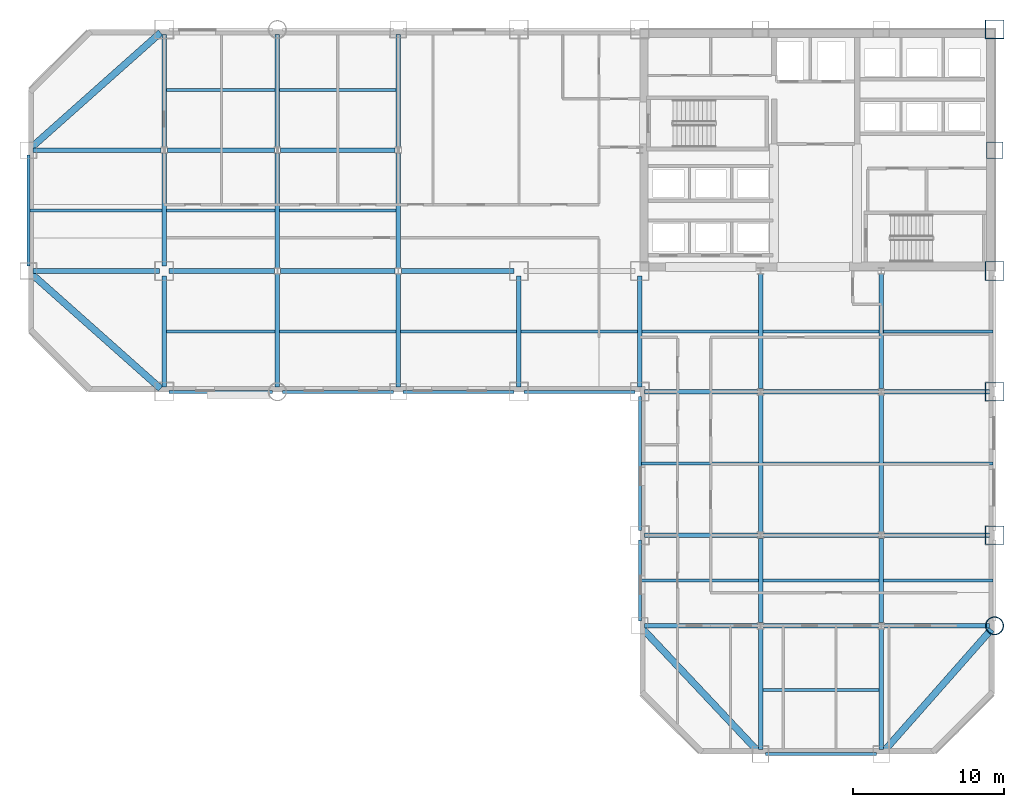
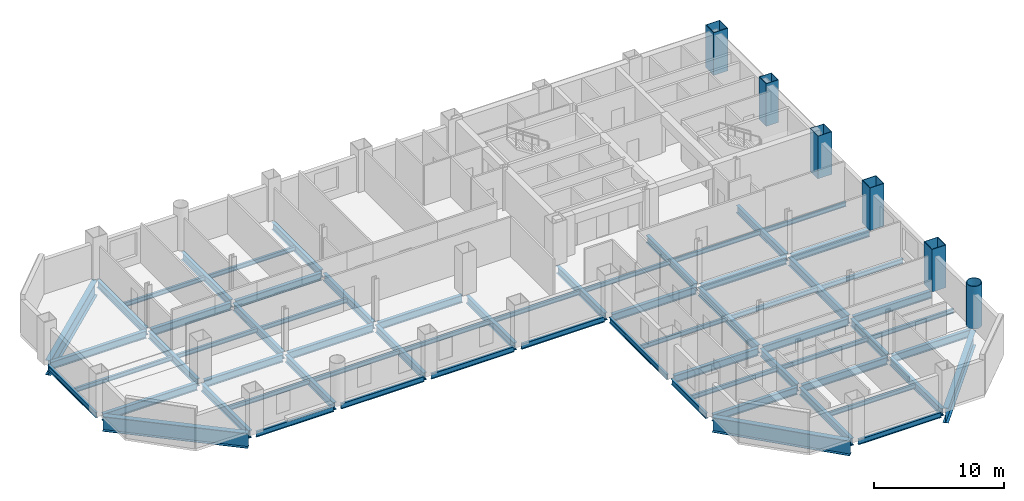
# One storey, part 3 of 9: 66 beams, 6 columns.
"""IFC4 building model written with IfcOpenShell, lengths in metres."""

from ifc_helpers import new_model, si_unit, direction, frame, origin, origin_2d, place, context, subcontext, project, spatial, hollow_rectangle, hollow_circle, i_section, extrude, material, material_profile, profile_set, type_object, element, save


model = new_model("IFC4")

# Units and contexts
model_context = context("Model", 3, precision=1e-05, world=origin(), true_north=direction((0.0, 1.0)))
body_context = subcontext(model_context, "Body", "Model", "MODEL_VIEW")
ifc_project = project(units=[si_unit("LENGTHUNIT", "METRE"), si_unit("AREAUNIT", "SQUARE_METRE"), si_unit("VOLUMEUNIT", "CUBIC_METRE"), si_unit("PLANEANGLEUNIT", "RADIAN"), si_unit("MASSUNIT", "GRAM", prefix="KILO")], contexts=[model_context])

# Site, building, storey
site_placement = place(None, origin())
site = spatial("IfcSite", under=ifc_project, at=site_placement, CompositionType="ELEMENT")
building_placement = place(site_placement, origin())
building = spatial("IfcBuilding", under=site, at=building_placement, Name="Qianrong Seaharbour Tower", CompositionType="ELEMENT")
storey_placement = place(building_placement, frame((0.0, 0.0, 36.199951171875)))
storey = spatial("IfcBuildingStorey", under=building, at=storey_placement, Name="L08", CompositionType="ELEMENT", Elevation=36.199951171875)

# Columns
ifc_material_1 = material(Name="Structural steel SN490B", Category="steel")
ifc_material_profile_1 = material_profile(ifc_material_1, hollow_rectangle(XDim=1.25, YDim=1.25, WallThickness=0.044921875, at=origin_2d()), Name="BOX1250x1250x45")
ifc_profile_set_1 = profile_set([ifc_material_profile_1], Name="Structural steel SN490B")
column_type_1 = type_object("IfcColumnType", Name="COL-CFT-1250", PredefinedType="COLUMN", material=ifc_profile_set_1)
for number, where, z_axis, x_axis, name in (
    (1, (64.0, 18.5, 0.0), (0.0, 0.0, 1.0), (1.0, 0.0, 0.0), "L08 Column MC-2 at G9/GD"),
    (2, (64.0, 28.0, 0.0), (0.0, 0.0, 1.0), (1.0, 0.0, 0.0), "L08 Column MC-2 at G9/GE"),
    (3, (64.0, 36.0, 0.0), (0.0, 0.0, 1.0), (1.0, 0.0, 0.0), "L08 Column MC-2 at G9/GF"),
    (4, (64.0, 52.0, 0.0), (0.0, 0.0, 1.0), (1.0, 0.0, 0.0), "L08 Column MC-2 at G9/GH"),
):
    element("IfcColumn", number, at=place(storey_placement, frame(where, z_axis=z_axis, x_axis=x_axis)), inside=storey, type_object=column_type_1, Name=name, PredefinedType="COLUMN", context=body_context, shape_type="SweptSolid", body=[
        extrude(hollow_rectangle(XDim=1.25, YDim=1.25, WallThickness=0.044921875, at=origin_2d()), origin(), (0.0, 0.0, 1.0), 4.0),
    ])
ifc_material_profile_2 = material_profile(ifc_material_1, hollow_circle(Radius=0.60009765625, WallThickness=0.0400390625, at=origin_2d()), Name="CHS1200x40")
ifc_profile_set_2 = profile_set([ifc_material_profile_2], Name="Structural steel SN490B")
column_type_2 = type_object("IfcColumnType", Name="COL-CHS-1200", PredefinedType="COLUMN", material=ifc_profile_set_2)
column_1_placement = place(storey_placement, frame((64.0, 12.5, 0.0), z_axis=(0.0, 0.0, 1.0), x_axis=(1.0, 0.0, 0.0)))
element("IfcColumn", 5, at=column_1_placement, inside=storey, type_object=column_type_2, Name="L08 Column CC-1 at G9/GC", PredefinedType="COLUMN", context=body_context, shape_type="SweptSolid", body=[
    extrude(hollow_circle(Radius=0.60009765625, WallThickness=0.0400390625, at=origin_2d()), origin(), (0.0, 0.0, 1.0), 4.0),
])
ifc_material_profile_3 = material_profile(ifc_material_1, hollow_rectangle(XDim=1.10009765625, YDim=1.10009765625, WallThickness=0.0400390625, at=origin_2d()), Name="BOX1100x1100x40")
ifc_profile_set_3 = profile_set([ifc_material_profile_3], Name="Structural steel SN490B")
column_type_3 = type_object("IfcColumnType", Name="COL-PER-1100", PredefinedType="COLUMN", material=ifc_profile_set_3)
column_2_placement = place(storey_placement, frame((64.0, 44.0, 0.0), z_axis=(0.0, 0.0, 1.0), x_axis=(1.0, 0.0, 0.0)))
element("IfcColumn", 6, at=column_2_placement, inside=storey, type_object=column_type_3, Name="L08 Column PC-1 at G9/GG", PredefinedType="COLUMN", context=body_context, shape_type="SweptSolid", body=[
    extrude(hollow_rectangle(XDim=1.10009765625, YDim=1.10009765625, WallThickness=0.0400390625, at=origin_2d()), origin(), (0.0, 0.0, 1.0), 4.0),
])

# Beams
ifc_material_profile_4 = material_profile(ifc_material_1, i_section(OverallWidth=0.300048828125, OverallDepth=0.699951171875, WebThickness=0.012939453125, FlangeThickness=0.02392578125, FilletRadius=0.02587890625, at=origin_2d()), Name="H700x300x13x24")
ifc_profile_set_4 = profile_set([ifc_material_profile_4], Name="Structural steel SN490B")
beam_type_1 = type_object("IfcBeamType", Name="BM-G-700", PredefinedType="BEAM", material=ifc_profile_set_4)
beam_1_placement = place(storey_placement, frame((40.820068359375, 12.5, -0.599853515625), z_axis=(1.0, 0.0, 0.0), x_axis=(0.0, 1.0, 0.0)))
element("IfcBeam", 7, at=beam_1_placement, inside=storey, type_object=beam_type_1, Name="L08 Primary Girder GC G6-G7", PredefinedType="BEAM", context=body_context, shape_type="SweptSolid", body=[
    extrude(i_section(OverallWidth=0.300048828125, OverallDepth=0.699951171875, WebThickness=0.012939453125, FlangeThickness=0.02392578125, FilletRadius=0.02587890625, at=origin_2d()), origin(), (0.0, 0.0, 1.0), 7.476318359375),
])
beam_2_placement = place(storey_placement, frame((48.70361328125, 12.5, -0.599853515625), z_axis=(1.0, 0.0, 0.0), x_axis=(0.0, 1.0, 0.0)))
element("IfcBeam", 8, at=beam_2_placement, inside=storey, type_object=beam_type_1, Name="L08 Primary Girder GC G7-G8", PredefinedType="BEAM", context=body_context, shape_type="SweptSolid", body=[
    extrude(i_section(OverallWidth=0.300048828125, OverallDepth=0.699951171875, WebThickness=0.012939453125, FlangeThickness=0.02392578125, FilletRadius=0.02587890625, at=origin_2d()), origin(), (0.0, 0.0, 1.0), 7.5927734375),
])
beam_3_placement = place(storey_placement, frame((56.70361328125, 12.5, -0.599853515625), z_axis=(1.0, 0.0, 0.0), x_axis=(0.0, 1.0, 0.0)))
element("IfcBeam", 9, at=beam_3_placement, inside=storey, type_object=beam_type_1, Name="L08 Primary Girder GC G8-G9", PredefinedType="BEAM", context=body_context, shape_type="SweptSolid", body=[
    extrude(i_section(OverallWidth=0.300048828125, OverallDepth=0.699951171875, WebThickness=0.012939453125, FlangeThickness=0.02392578125, FilletRadius=0.02587890625, at=origin_2d()), origin(), (0.0, 0.0, 1.0), 6.976318359375),
])
beam_4_placement = place(storey_placement, frame((40.820068359375, 18.5, -0.599853515625), z_axis=(1.0, 0.0, 0.0), x_axis=(0.0, 1.0, 0.0)))
element("IfcBeam", 10, at=beam_4_placement, inside=storey, type_object=beam_type_1, Name="L08 Primary Girder GD G6-G7", PredefinedType="BEAM", context=body_context, shape_type="SweptSolid", body=[
    extrude(i_section(OverallWidth=0.300048828125, OverallDepth=0.699951171875, WebThickness=0.012939453125, FlangeThickness=0.02392578125, FilletRadius=0.02587890625, at=origin_2d()), origin(), (0.0, 0.0, 1.0), 7.476318359375),
])
beam_5_placement = place(storey_placement, frame((48.70361328125, 18.5, -0.599853515625), z_axis=(1.0, 0.0, 0.0), x_axis=(0.0, 1.0, 0.0)))
element("IfcBeam", 11, at=beam_5_placement, inside=storey, type_object=beam_type_1, Name="L08 Primary Girder GD G7-G8", PredefinedType="BEAM", context=body_context, shape_type="SweptSolid", body=[
    extrude(i_section(OverallWidth=0.300048828125, OverallDepth=0.699951171875, WebThickness=0.012939453125, FlangeThickness=0.02392578125, FilletRadius=0.02587890625, at=origin_2d()), origin(), (0.0, 0.0, 1.0), 7.5927734375),
])
beam_6_placement = place(storey_placement, frame((56.70361328125, 18.5, -0.599853515625), z_axis=(1.0, 0.0, 0.0), x_axis=(0.0, 1.0, 0.0)))
element("IfcBeam", 12, at=beam_6_placement, inside=storey, type_object=beam_type_1, Name="L08 Primary Girder GD G8-G9", PredefinedType="BEAM", context=body_context, shape_type="SweptSolid", body=[
    extrude(i_section(OverallWidth=0.300048828125, OverallDepth=0.699951171875, WebThickness=0.012939453125, FlangeThickness=0.02392578125, FilletRadius=0.02587890625, at=origin_2d()), origin(), (0.0, 0.0, 1.0), 6.976318359375),
])
beam_7_placement = place(storey_placement, frame((40.820068359375, 28.0, -0.599853515625), z_axis=(1.0, 0.0, 0.0), x_axis=(0.0, 1.0, 0.0)))
element("IfcBeam", 13, at=beam_7_placement, inside=storey, type_object=beam_type_1, Name="L08 Primary Girder GE G6-G7", PredefinedType="BEAM", context=body_context, shape_type="SweptSolid", body=[
    extrude(i_section(OverallWidth=0.300048828125, OverallDepth=0.699951171875, WebThickness=0.012939453125, FlangeThickness=0.02392578125, FilletRadius=0.02587890625, at=origin_2d()), origin(), (0.0, 0.0, 1.0), 7.476318359375),
])
beam_8_placement = place(storey_placement, frame((48.70361328125, 28.0, -0.599853515625), z_axis=(1.0, 0.0, 0.0), x_axis=(0.0, 1.0, 0.0)))
element("IfcBeam", 14, at=beam_8_placement, inside=storey, type_object=beam_type_1, Name="L08 Primary Girder GE G7-G8", PredefinedType="BEAM", context=body_context, shape_type="SweptSolid", body=[
    extrude(i_section(OverallWidth=0.300048828125, OverallDepth=0.699951171875, WebThickness=0.012939453125, FlangeThickness=0.02392578125, FilletRadius=0.02587890625, at=origin_2d()), origin(), (0.0, 0.0, 1.0), 7.5927734375),
])
beam_9_placement = place(storey_placement, frame((56.70361328125, 28.0, -0.599853515625), z_axis=(1.0, 0.0, 0.0), x_axis=(0.0, 1.0, 0.0)))
element("IfcBeam", 15, at=beam_9_placement, inside=storey, type_object=beam_type_1, Name="L08 Primary Girder GE G8-G9", PredefinedType="BEAM", context=body_context, shape_type="SweptSolid", body=[
    extrude(i_section(OverallWidth=0.300048828125, OverallDepth=0.699951171875, WebThickness=0.012939453125, FlangeThickness=0.02392578125, FilletRadius=0.02587890625, at=origin_2d()), origin(), (0.0, 0.0, 1.0), 6.976318359375),
])
beam_10_placement = place(storey_placement, frame((0.320068359375, 36.0, -0.599853515625), z_axis=(1.0, 0.0, 0.0), x_axis=(0.0, 1.0, 0.0)))
element("IfcBeam", 16, at=beam_10_placement, inside=storey, type_object=beam_type_1, Name="L08 Primary Girder GF G1-G2", PredefinedType="BEAM", context=body_context, shape_type="SweptSolid", body=[
    extrude(i_section(OverallWidth=0.300048828125, OverallDepth=0.699951171875, WebThickness=0.012939453125, FlangeThickness=0.02392578125, FilletRadius=0.02587890625, at=origin_2d()), origin(), (0.0, 0.0, 1.0), 8.35986328125),
])
beam_11_placement = place(storey_placement, frame((9.320068359375, 36.0, -0.599853515625), z_axis=(1.0, 0.0, 0.0), x_axis=(0.0, 1.0, 0.0)))
element("IfcBeam", 17, at=beam_11_placement, inside=storey, type_object=beam_type_1, Name="L08 Primary Girder GF G2-G3", PredefinedType="BEAM", context=body_context, shape_type="SweptSolid", body=[
    extrude(i_section(OverallWidth=0.300048828125, OverallDepth=0.699951171875, WebThickness=0.012939453125, FlangeThickness=0.02392578125, FilletRadius=0.02587890625, at=origin_2d()), origin(), (0.0, 0.0, 1.0), 6.976318359375),
])
beam_12_placement = place(storey_placement, frame((16.70361328125, 36.0, -0.599853515625), z_axis=(1.0, 0.0, 0.0), x_axis=(0.0, 1.0, 0.0)))
element("IfcBeam", 18, at=beam_12_placement, inside=storey, type_object=beam_type_1, Name="L08 Primary Girder GF G3-G4", PredefinedType="BEAM", context=body_context, shape_type="SweptSolid", body=[
    extrude(i_section(OverallWidth=0.300048828125, OverallDepth=0.699951171875, WebThickness=0.012939453125, FlangeThickness=0.02392578125, FilletRadius=0.02587890625, at=origin_2d()), origin(), (0.0, 0.0, 1.0), 7.5927734375),
])
beam_13_placement = place(storey_placement, frame((24.70361328125, 36.0, -0.599853515625), z_axis=(1.0, 0.0, 0.0), x_axis=(0.0, 1.0, 0.0)))
element("IfcBeam", 19, at=beam_13_placement, inside=storey, type_object=beam_type_1, Name="L08 Primary Girder GF G4-G5", PredefinedType="BEAM", context=body_context, shape_type="SweptSolid", body=[
    extrude(i_section(OverallWidth=0.300048828125, OverallDepth=0.699951171875, WebThickness=0.012939453125, FlangeThickness=0.02392578125, FilletRadius=0.02587890625, at=origin_2d()), origin(), (0.0, 0.0, 1.0), 7.476318359375),
])
beam_14_placement = place(storey_placement, frame((0.320068359375, 44.0, -0.599853515625), z_axis=(1.0, 0.0, 0.0), x_axis=(0.0, 1.0, 0.0)))
element("IfcBeam", 20, at=beam_14_placement, inside=storey, type_object=beam_type_1, Name="L08 Primary Girder GG G1-G2", PredefinedType="BEAM", context=body_context, shape_type="SweptSolid", body=[
    extrude(i_section(OverallWidth=0.300048828125, OverallDepth=0.699951171875, WebThickness=0.012939453125, FlangeThickness=0.02392578125, FilletRadius=0.02587890625, at=origin_2d()), origin(), (0.0, 0.0, 1.0), 8.476318359375),
])
beam_15_placement = place(storey_placement, frame((9.20361328125, 44.0, -0.599853515625), z_axis=(1.0, 0.0, 0.0), x_axis=(0.0, 1.0, 0.0)))
element("IfcBeam", 21, at=beam_15_placement, inside=storey, type_object=beam_type_1, Name="L08 Primary Girder GG G2-G3", PredefinedType="BEAM", context=body_context, shape_type="SweptSolid", body=[
    extrude(i_section(OverallWidth=0.300048828125, OverallDepth=0.699951171875, WebThickness=0.012939453125, FlangeThickness=0.02392578125, FilletRadius=0.02587890625, at=origin_2d()), origin(), (0.0, 0.0, 1.0), 7.0927734375),
])
beam_16_placement = place(storey_placement, frame((16.70361328125, 44.0, -0.599853515625), z_axis=(1.0, 0.0, 0.0), x_axis=(0.0, 1.0, 0.0)))
element("IfcBeam", 22, at=beam_16_placement, inside=storey, type_object=beam_type_1, Name="L08 Primary Girder GG G3-G4", PredefinedType="BEAM", context=body_context, shape_type="SweptSolid", body=[
    extrude(i_section(OverallWidth=0.300048828125, OverallDepth=0.699951171875, WebThickness=0.012939453125, FlangeThickness=0.02392578125, FilletRadius=0.02587890625, at=origin_2d()), origin(), (0.0, 0.0, 1.0), 7.5927734375),
])
beam_17_placement = place(storey_placement, frame((9.0, 28.320068359375, -0.599853515625), z_axis=(0.0, 1.0, 0.0), x_axis=(-1.0, 0.0, 0.0)))
element("IfcBeam", 23, at=beam_17_placement, inside=storey, type_object=beam_type_1, Name="L08 Primary Girder G2 GE-GF", PredefinedType="BEAM", context=body_context, shape_type="SweptSolid", body=[
    extrude(i_section(OverallWidth=0.300048828125, OverallDepth=0.699951171875, WebThickness=0.012939453125, FlangeThickness=0.02392578125, FilletRadius=0.02587890625, at=origin_2d()), origin(), (0.0, 0.0, 1.0), 7.35986328125),
])
for number, where, z_axis, x_axis, name in (
    (24, (9.0, 36.320068359375, -0.599853515625), (0.0, 1.0, 0.0), (-1.0, 0.0, 0.0), "L08 Primary Girder G2 GF-GG"),
    (25, (9.0, 44.214111328125, -0.599853515625), (0.0, 1.0, 0.0), (-1.0, 0.0, 0.0), "L08 Primary Girder G2 GG-GH"),
    (26, (16.5, 28.320068359375, -0.599853515625), (0.0, 1.0, 0.0), (-1.0, 0.0, 0.0), "L08 Primary Girder G3 GE-GF"),
):
    element("IfcBeam", number, at=place(storey_placement, frame(where, z_axis=z_axis, x_axis=x_axis)), inside=storey, type_object=beam_type_1, Name=name, PredefinedType="BEAM", context=body_context, shape_type="SweptSolid", body=[
        extrude(i_section(OverallWidth=0.300048828125, OverallDepth=0.699951171875, WebThickness=0.012939453125, FlangeThickness=0.02392578125, FilletRadius=0.02587890625, at=origin_2d()), origin(), (0.0, 0.0, 1.0), 7.4658203125),
    ])
beam_18_placement = place(storey_placement, frame((16.5, 36.214111328125, -0.599853515625), z_axis=(0.0, 1.0, 0.0), x_axis=(-1.0, 0.0, 0.0)))
element("IfcBeam", 27, at=beam_18_placement, inside=storey, type_object=beam_type_1, Name="L08 Primary Girder G3 GF-GG", PredefinedType="BEAM", context=body_context, shape_type="SweptSolid", body=[
    extrude(i_section(OverallWidth=0.300048828125, OverallDepth=0.699951171875, WebThickness=0.012939453125, FlangeThickness=0.02392578125, FilletRadius=0.02587890625, at=origin_2d()), origin(), (0.0, 0.0, 1.0), 7.57177734375),
])
for number, where, z_axis, x_axis, name in (
    (28, (16.5, 44.214111328125, -0.599853515625), (0.0, 1.0, 0.0), (-1.0, 0.0, 0.0), "L08 Primary Girder G3 GG-GH"),
    (29, (24.5, 28.320068359375, -0.599853515625), (0.0, 1.0, 0.0), (-1.0, 0.0, 0.0), "L08 Primary Girder G4 GE-GF"),
):
    element("IfcBeam", number, at=place(storey_placement, frame(where, z_axis=z_axis, x_axis=x_axis)), inside=storey, type_object=beam_type_1, Name=name, PredefinedType="BEAM", context=body_context, shape_type="SweptSolid", body=[
        extrude(i_section(OverallWidth=0.300048828125, OverallDepth=0.699951171875, WebThickness=0.012939453125, FlangeThickness=0.02392578125, FilletRadius=0.02587890625, at=origin_2d()), origin(), (0.0, 0.0, 1.0), 7.4658203125),
    ])
beam_19_placement = place(storey_placement, frame((24.5, 36.214111328125, -0.599853515625), z_axis=(0.0, 1.0, 0.0), x_axis=(-1.0, 0.0, 0.0)))
element("IfcBeam", 30, at=beam_19_placement, inside=storey, type_object=beam_type_1, Name="L08 Primary Girder G4 GF-GG", PredefinedType="BEAM", context=body_context, shape_type="SweptSolid", body=[
    extrude(i_section(OverallWidth=0.300048828125, OverallDepth=0.699951171875, WebThickness=0.012939453125, FlangeThickness=0.02392578125, FilletRadius=0.02587890625, at=origin_2d()), origin(), (0.0, 0.0, 1.0), 7.57177734375),
])
beam_20_placement = place(storey_placement, frame((24.5, 44.214111328125, -0.599853515625), z_axis=(0.0, 1.0, 0.0), x_axis=(-1.0, 0.0, 0.0)))
element("IfcBeam", 31, at=beam_20_placement, inside=storey, type_object=beam_type_1, Name="L08 Primary Girder G4 GG-GH", PredefinedType="BEAM", context=body_context, shape_type="SweptSolid", body=[
    extrude(i_section(OverallWidth=0.300048828125, OverallDepth=0.699951171875, WebThickness=0.012939453125, FlangeThickness=0.02392578125, FilletRadius=0.02587890625, at=origin_2d()), origin(), (0.0, 0.0, 1.0), 7.4658203125),
])
for number, where, z_axis, x_axis, name in (
    (32, (32.5, 28.320068359375, -0.599853515625), (0.0, 1.0, 0.0), (-1.0, 0.0, 0.0), "L08 Primary Girder G5 GE-GF"),
    (33, (40.5, 28.320068359375, -0.599853515625), (0.0, 1.0, 0.0), (-1.0, 0.0, 0.0), "L08 Primary Girder G6 GE-GF"),
):
    element("IfcBeam", number, at=place(storey_placement, frame(where, z_axis=z_axis, x_axis=x_axis)), inside=storey, type_object=beam_type_1, Name=name, PredefinedType="BEAM", context=body_context, shape_type="SweptSolid", body=[
        extrude(i_section(OverallWidth=0.300048828125, OverallDepth=0.699951171875, WebThickness=0.012939453125, FlangeThickness=0.02392578125, FilletRadius=0.02587890625, at=origin_2d()), origin(), (0.0, 0.0, 1.0), 7.35986328125),
    ])
beam_21_placement = place(storey_placement, frame((48.5, 4.320068359375, -0.599853515625), z_axis=(0.0, 1.0, 0.0), x_axis=(-1.0, 0.0, 0.0)))
element("IfcBeam", 34, at=beam_21_placement, inside=storey, type_object=beam_type_1, Name="L08 Primary Girder G7 GB-GC", PredefinedType="BEAM", context=body_context, shape_type="SweptSolid", body=[
    extrude(i_section(OverallWidth=0.300048828125, OverallDepth=0.699951171875, WebThickness=0.012939453125, FlangeThickness=0.02392578125, FilletRadius=0.02587890625, at=origin_2d()), origin(), (0.0, 0.0, 1.0), 7.9658203125),
])
beam_22_placement = place(storey_placement, frame((48.5, 12.714111328125, -0.599853515625), z_axis=(0.0, 1.0, 0.0), x_axis=(-1.0, 0.0, 0.0)))
element("IfcBeam", 35, at=beam_22_placement, inside=storey, type_object=beam_type_1, Name="L08 Primary Girder G7 GC-GD", PredefinedType="BEAM", context=body_context, shape_type="SweptSolid", body=[
    extrude(i_section(OverallWidth=0.300048828125, OverallDepth=0.699951171875, WebThickness=0.012939453125, FlangeThickness=0.02392578125, FilletRadius=0.02587890625, at=origin_2d()), origin(), (0.0, 0.0, 1.0), 5.57177734375),
])
beam_23_placement = place(storey_placement, frame((48.5, 28.214111328125, -0.599853515625), z_axis=(0.0, 1.0, 0.0), x_axis=(-1.0, 0.0, 0.0)))
element("IfcBeam", 36, at=beam_23_placement, inside=storey, type_object=beam_type_1, Name="L08 Primary Girder G7 GE-GF", PredefinedType="BEAM", context=body_context, shape_type="SweptSolid", body=[
    extrude(i_section(OverallWidth=0.300048828125, OverallDepth=0.699951171875, WebThickness=0.012939453125, FlangeThickness=0.02392578125, FilletRadius=0.02587890625, at=origin_2d()), origin(), (0.0, 0.0, 1.0), 7.57177734375),
])
beam_24_placement = place(storey_placement, frame((56.5, 4.320068359375, -0.599853515625), z_axis=(0.0, 1.0, 0.0), x_axis=(-1.0, 0.0, 0.0)))
element("IfcBeam", 37, at=beam_24_placement, inside=storey, type_object=beam_type_1, Name="L08 Primary Girder G8 GB-GC", PredefinedType="BEAM", context=body_context, shape_type="SweptSolid", body=[
    extrude(i_section(OverallWidth=0.300048828125, OverallDepth=0.699951171875, WebThickness=0.012939453125, FlangeThickness=0.02392578125, FilletRadius=0.02587890625, at=origin_2d()), origin(), (0.0, 0.0, 1.0), 7.9658203125),
])
beam_25_placement = place(storey_placement, frame((56.5, 12.714111328125, -0.599853515625), z_axis=(0.0, 1.0, 0.0), x_axis=(-1.0, 0.0, 0.0)))
element("IfcBeam", 38, at=beam_25_placement, inside=storey, type_object=beam_type_1, Name="L08 Primary Girder G8 GC-GD", PredefinedType="BEAM", context=body_context, shape_type="SweptSolid", body=[
    extrude(i_section(OverallWidth=0.300048828125, OverallDepth=0.699951171875, WebThickness=0.012939453125, FlangeThickness=0.02392578125, FilletRadius=0.02587890625, at=origin_2d()), origin(), (0.0, 0.0, 1.0), 5.57177734375),
])
beam_26_placement = place(storey_placement, frame((56.5, 28.214111328125, -0.599853515625), z_axis=(0.0, 1.0, 0.0), x_axis=(-1.0, 0.0, 0.0)))
element("IfcBeam", 39, at=beam_26_placement, inside=storey, type_object=beam_type_1, Name="L08 Primary Girder G8 GE-GF", PredefinedType="BEAM", context=body_context, shape_type="SweptSolid", body=[
    extrude(i_section(OverallWidth=0.300048828125, OverallDepth=0.699951171875, WebThickness=0.012939453125, FlangeThickness=0.02392578125, FilletRadius=0.02587890625, at=origin_2d()), origin(), (0.0, 0.0, 1.0), 7.57177734375),
])
ifc_material_profile_5 = material_profile(ifc_material_1, i_section(OverallWidth=0.300048828125, OverallDepth=0.800048828125, WebThickness=0.013916015625, FlangeThickness=0.02587890625, FilletRadius=0.028076171875, at=origin_2d()), Name="H800x300x14x26")
ifc_profile_set_5 = profile_set([ifc_material_profile_5], Name="Structural steel SN490B")
beam_type_2 = type_object("IfcBeamType", Name="BM-G-800", PredefinedType="BEAM", material=ifc_profile_set_5)
for number, where, z_axis, x_axis, name in (
    (40, (48.5, 18.714111328125, -0.64990234375), (0.0, 1.0, 0.0), (-1.0, 0.0, 0.0), "L08 Primary Girder G7 GD-GE"),
    (41, (56.5, 18.714111328125, -0.64990234375), (0.0, 1.0, 0.0), (-1.0, 0.0, 0.0), "L08 Primary Girder G8 GD-GE"),
):
    element("IfcBeam", number, at=place(storey_placement, frame(where, z_axis=z_axis, x_axis=x_axis)), inside=storey, type_object=beam_type_2, Name=name, PredefinedType="BEAM", context=body_context, shape_type="SweptSolid", body=[
        extrude(i_section(OverallWidth=0.300048828125, OverallDepth=0.800048828125, WebThickness=0.013916015625, FlangeThickness=0.02587890625, FilletRadius=0.028076171875, at=origin_2d()), origin(), (0.0, 0.0, 1.0), 9.07177734375),
    ])
ifc_material_2 = material(Name="Structural steel SN400B", Category="steel")
ifc_material_profile_6 = material_profile(ifc_material_2, i_section(OverallWidth=0.199951171875, OverallDepth=0.39990234375, WebThickness=0.008056640625, FlangeThickness=0.012939453125, FilletRadius=0.01611328125, at=origin_2d()), Name="H400x200x8x13")
ifc_profile_set_6 = profile_set([ifc_material_profile_6], Name="Structural steel SN400B")
beam_type_3 = type_object("IfcBeamType", Name="BM-J-400", PredefinedType="JOIST", material=ifc_profile_set_6)
beam_27_placement = place(storey_placement, frame((0.10009765625, 40.0, -0.449951171875), z_axis=(1.0, 0.0, 0.0), x_axis=(0.0, 1.0, 0.0)))
element("IfcBeam", 42, at=beam_27_placement, inside=storey, type_object=beam_type_3, Name="L08 Composite Floor Joist G1-G2/GF-GG", PredefinedType="JOIST", context=body_context, shape_type="SweptSolid", body=[
    extrude(i_section(OverallWidth=0.199951171875, OverallDepth=0.39990234375, WebThickness=0.008056640625, FlangeThickness=0.012939453125, FilletRadius=0.01611328125, at=origin_2d()), origin(), (0.0, 0.0, 1.0), 8.75),
])
for number, where, z_axis, x_axis, name in (
    (43, (9.14990234375, 32.0, -0.449951171875), (1.0, 0.0, 0.0), (0.0, 1.0, 0.0), "L08 Composite Floor Joist G2-G3/GE-GF"),
    (44, (9.14990234375, 40.0, -0.449951171875), (1.0, 0.0, 0.0), (0.0, 1.0, 0.0), "L08 Composite Floor Joist G2-G3/GF-GG"),
    (45, (9.14990234375, 48.0, -0.449951171875), (1.0, 0.0, 0.0), (0.0, 1.0, 0.0), "L08 Composite Floor Joist G2-G3/GG-GH"),
):
    element("IfcBeam", number, at=place(storey_placement, frame(where, z_axis=z_axis, x_axis=x_axis)), inside=storey, type_object=beam_type_3, Name=name, PredefinedType="JOIST", context=body_context, shape_type="SweptSolid", body=[
        extrude(i_section(OverallWidth=0.199951171875, OverallDepth=0.39990234375, WebThickness=0.008056640625, FlangeThickness=0.012939453125, FilletRadius=0.01611328125, at=origin_2d()), origin(), (0.0, 0.0, 1.0), 7.2001953125),
    ])
for number, where, z_axis, x_axis, name in (
    (46, (16.64990234375, 32.0, -0.449951171875), (1.0, 0.0, 0.0), (0.0, 1.0, 0.0), "L08 Composite Floor Joist G3-G4/GE-GF"),
    (47, (16.64990234375, 40.0, -0.449951171875), (1.0, 0.0, 0.0), (0.0, 1.0, 0.0), "L08 Composite Floor Joist G3-G4/GF-GG"),
    (48, (16.64990234375, 48.0, -0.449951171875), (1.0, 0.0, 0.0), (0.0, 1.0, 0.0), "L08 Composite Floor Joist G3-G4/GG-GH"),
    (49, (24.64990234375, 32.0, -0.449951171875), (1.0, 0.0, 0.0), (0.0, 1.0, 0.0), "L08 Composite Floor Joist G4-G5/GE-GF"),
    (50, (32.64990234375, 32.0, -0.449951171875), (1.0, 0.0, 0.0), (0.0, 1.0, 0.0), "L08 Composite Floor Joist G5-G6/GE-GF"),
):
    element("IfcBeam", number, at=place(storey_placement, frame(where, z_axis=z_axis, x_axis=x_axis)), inside=storey, type_object=beam_type_3, Name=name, PredefinedType="JOIST", context=body_context, shape_type="SweptSolid", body=[
        extrude(i_section(OverallWidth=0.199951171875, OverallDepth=0.39990234375, WebThickness=0.008056640625, FlangeThickness=0.012939453125, FilletRadius=0.01611328125, at=origin_2d()), origin(), (0.0, 0.0, 1.0), 7.7001953125),
    ])
for number, where, z_axis, x_axis, name in (
    (51, (40.60009765625, 15.5, -0.449951171875), (1.0, 0.0, 0.0), (0.0, 1.0, 0.0), "L08 Composite Floor Joist G6-G7/GC-GD"),
    (52, (40.60009765625, 23.25, -0.449951171875), (1.0, 0.0, 0.0), (0.0, 1.0, 0.0), "L08 Composite Floor Joist G6-G7/GD-GE"),
):
    element("IfcBeam", number, at=place(storey_placement, frame(where, z_axis=z_axis, x_axis=x_axis)), inside=storey, type_object=beam_type_3, Name=name, PredefinedType="JOIST", context=body_context, shape_type="SweptSolid", body=[
        extrude(i_section(OverallWidth=0.199951171875, OverallDepth=0.39990234375, WebThickness=0.008056640625, FlangeThickness=0.012939453125, FilletRadius=0.01611328125, at=origin_2d()), origin(), (0.0, 0.0, 1.0), 7.75),
    ])
for number, where, z_axis, x_axis, name in (
    (53, (40.64990234375, 32.0, -0.449951171875), (1.0, 0.0, 0.0), (0.0, 1.0, 0.0), "L08 Composite Floor Joist G6-G7/GE-GF"),
    (54, (48.64990234375, 8.25, -0.449951171875), (1.0, 0.0, 0.0), (0.0, 1.0, 0.0), "L08 Composite Floor Joist G7-G8/GB-GC"),
    (55, (48.64990234375, 15.5, -0.449951171875), (1.0, 0.0, 0.0), (0.0, 1.0, 0.0), "L08 Composite Floor Joist G7-G8/GC-GD"),
    (56, (48.64990234375, 23.25, -0.449951171875), (1.0, 0.0, 0.0), (0.0, 1.0, 0.0), "L08 Composite Floor Joist G7-G8/GD-GE"),
    (57, (48.64990234375, 32.0, -0.449951171875), (1.0, 0.0, 0.0), (0.0, 1.0, 0.0), "L08 Composite Floor Joist G7-G8/GE-GF"),
):
    element("IfcBeam", number, at=place(storey_placement, frame(where, z_axis=z_axis, x_axis=x_axis)), inside=storey, type_object=beam_type_3, Name=name, PredefinedType="JOIST", context=body_context, shape_type="SweptSolid", body=[
        extrude(i_section(OverallWidth=0.199951171875, OverallDepth=0.39990234375, WebThickness=0.008056640625, FlangeThickness=0.012939453125, FilletRadius=0.01611328125, at=origin_2d()), origin(), (0.0, 0.0, 1.0), 7.7001953125),
    ])
for number, where, z_axis, x_axis, name in (
    (58, (56.64990234375, 15.5, -0.449951171875), (1.0, 0.0, 0.0), (0.0, 1.0, 0.0), "L08 Composite Floor Joist G8-G9/GC-GD"),
    (59, (56.64990234375, 23.25, -0.449951171875), (1.0, 0.0, 0.0), (0.0, 1.0, 0.0), "L08 Composite Floor Joist G8-G9/GD-GE"),
    (60, (56.64990234375, 32.0, -0.449951171875), (1.0, 0.0, 0.0), (0.0, 1.0, 0.0), "L08 Composite Floor Joist G8-G9/GE-GF"),
):
    element("IfcBeam", number, at=place(storey_placement, frame(where, z_axis=z_axis, x_axis=x_axis)), inside=storey, type_object=beam_type_3, Name=name, PredefinedType="JOIST", context=body_context, shape_type="SweptSolid", body=[
        extrude(i_section(OverallWidth=0.199951171875, OverallDepth=0.39990234375, WebThickness=0.008056640625, FlangeThickness=0.012939453125, FilletRadius=0.01611328125, at=origin_2d()), origin(), (0.0, 0.0, 1.0), 7.25),
    ])
ifc_material_profile_7 = material_profile(ifc_material_1, i_section(OverallWidth=0.199951171875, OverallDepth=0.5, WebThickness=0.010009765625, FlangeThickness=0.01611328125, FilletRadius=0.02001953125, at=origin_2d()), Name="H500x200x10x16")
ifc_profile_set_7 = profile_set([ifc_material_profile_7], Name="Structural steel SN490B")
beam_type_4 = type_object("IfcBeamType", Name="BM-SP-500", PredefinedType="SPANDREL", material=ifc_profile_set_7)
beam_28_placement = place(storey_placement, frame((48.820068359375, 4.0, -0.5), z_axis=(1.0, 0.0, 0.0), x_axis=(0.0, 1.0, 0.0)))
element("IfcBeam", 61, at=beam_28_placement, inside=storey, type_object=beam_type_4, Name="L08 Spandrel Girder GB G7-G8", PredefinedType="SPANDREL", context=body_context, shape_type="SweptSolid", body=[
    extrude(i_section(OverallWidth=0.199951171875, OverallDepth=0.5, WebThickness=0.010009765625, FlangeThickness=0.01611328125, FilletRadius=0.02001953125, at=origin_2d()), origin(), (0.0, 0.0, 1.0), 7.35986328125),
])
beam_29_placement = place(storey_placement, frame((9.320068359375, 28.0, -0.5), z_axis=(1.0, 0.0, 0.0), x_axis=(0.0, 1.0, 0.0)))
element("IfcBeam", 62, at=beam_29_placement, inside=storey, type_object=beam_type_4, Name="L08 Spandrel Girder GE G2-G3", PredefinedType="SPANDREL", context=body_context, shape_type="SweptSolid", body=[
    extrude(i_section(OverallWidth=0.199951171875, OverallDepth=0.5, WebThickness=0.010009765625, FlangeThickness=0.01611328125, FilletRadius=0.02001953125, at=origin_2d()), origin(), (0.0, 0.0, 1.0), 6.85986328125),
])
for number, where, z_axis, x_axis, name in (
    (63, (16.820068359375, 28.0, -0.5), (1.0, 0.0, 0.0), (0.0, 1.0, 0.0), "L08 Spandrel Girder GE G3-G4"),
    (64, (24.820068359375, 28.0, -0.5), (1.0, 0.0, 0.0), (0.0, 1.0, 0.0), "L08 Spandrel Girder GE G4-G5"),
    (65, (32.820068359375, 28.0, -0.5), (1.0, 0.0, 0.0), (0.0, 1.0, 0.0), "L08 Spandrel Girder GE G5-G6"),
    (66, (0.0, 36.320068359375, -0.5), (0.0, 1.0, 0.0), (-1.0, 0.0, 0.0), "L08 Spandrel Girder G1 GF-GG"),
):
    element("IfcBeam", number, at=place(storey_placement, frame(where, z_axis=z_axis, x_axis=x_axis)), inside=storey, type_object=beam_type_4, Name=name, PredefinedType="SPANDREL", context=body_context, shape_type="SweptSolid", body=[
        extrude(i_section(OverallWidth=0.199951171875, OverallDepth=0.5, WebThickness=0.010009765625, FlangeThickness=0.01611328125, FilletRadius=0.02001953125, at=origin_2d()), origin(), (0.0, 0.0, 1.0), 7.35986328125),
    ])
beam_30_placement = place(storey_placement, frame((40.5, 12.820068359375, -0.5), z_axis=(0.0, 1.0, 0.0), x_axis=(-1.0, 0.0, 0.0)))
element("IfcBeam", 67, at=beam_30_placement, inside=storey, type_object=beam_type_4, Name="L08 Spandrel Girder G6 GC-GD", PredefinedType="SPANDREL", context=body_context, shape_type="SweptSolid", body=[
    extrude(i_section(OverallWidth=0.199951171875, OverallDepth=0.5, WebThickness=0.010009765625, FlangeThickness=0.01611328125, FilletRadius=0.02001953125, at=origin_2d()), origin(), (0.0, 0.0, 1.0), 5.35986328125),
])
beam_31_placement = place(storey_placement, frame((40.5, 18.820068359375, -0.5), z_axis=(0.0, 1.0, 0.0), x_axis=(-1.0, 0.0, 0.0)))
element("IfcBeam", 68, at=beam_31_placement, inside=storey, type_object=beam_type_4, Name="L08 Spandrel Girder G6 GD-GE", PredefinedType="SPANDREL", context=body_context, shape_type="SweptSolid", body=[
    extrude(i_section(OverallWidth=0.199951171875, OverallDepth=0.5, WebThickness=0.010009765625, FlangeThickness=0.01611328125, FilletRadius=0.02001953125, at=origin_2d()), origin(), (0.0, 0.0, 1.0), 8.85986328125),
])
ifc_material_profile_8 = material_profile(ifc_material_1, i_section(OverallWidth=0.449951171875, OverallDepth=1.39990234375, WebThickness=0.02197265625, FlangeThickness=0.0400390625, at=origin_2d()), Name="BH1400x450x22x40")
ifc_profile_set_8 = profile_set([ifc_material_profile_8], Name="Structural steel SN490B")
beam_type_5 = type_object("IfcBeamType", Name="BM-TG-1400", PredefinedType="BEAM", material=ifc_profile_set_8)
for number, where, z_axis, x_axis, name in (
    (69, (8.7607421875, 28.212646484375, -0.949951171875), (-0.747406955841, 0.664366497018, 0.0), (-0.664366497018, -0.747406955841, 0.0), "L08 Chamfer Corner Spandrel Girder G1/GE"),
    (70, (8.7607421875, 51.787353515625, -0.949951171875), (-0.747406955841, -0.664366497018, 0.0), (0.664366497018, -0.747406955841, 0.0), "L08 Chamfer Corner Spandrel Girder G1/GH"),
):
    element("IfcBeam", number, at=place(storey_placement, frame(where, z_axis=z_axis, x_axis=x_axis)), inside=storey, type_object=beam_type_5, Name=name, PredefinedType="BEAM", context=body_context, shape_type="SweptSolid", body=[
        extrude(i_section(OverallWidth=0.449951171875, OverallDepth=1.39990234375, WebThickness=0.02197265625, FlangeThickness=0.0400390625, at=origin_2d()), origin(), (0.0, 0.0, 1.0), 11.4013671875),
    ])
beam_32_placement = place(storey_placement, frame((48.28076171875, 4.23291015625, -0.949951171875), z_axis=(-0.685361938021, 0.728202591256, 0.0), x_axis=(-0.728202591256, -0.685361938021, 0.0)))
element("IfcBeam", 71, at=beam_32_placement, inside=storey, type_object=beam_type_5, Name="L08 Chamfer Corner Spandrel Girder G6/GB", PredefinedType="BEAM", context=body_context, shape_type="SweptSolid", body=[
    extrude(i_section(OverallWidth=0.449951171875, OverallDepth=1.39990234375, WebThickness=0.02197265625, FlangeThickness=0.0400390625, at=origin_2d()), origin(), (0.0, 0.0, 1.0), 11.032958984375),
])
beam_33_placement = place(storey_placement, frame((56.711669921875, 4.239990234375, -0.949951171875), z_axis=(0.661630696334, 0.749829861815, 0.0), x_axis=(-0.749829861815, 0.661630696334, 0.0)))
element("IfcBeam", 72, at=beam_33_placement, inside=storey, type_object=beam_type_5, Name="L08 Chamfer Corner Spandrel Girder G9/GB", PredefinedType="BEAM", context=body_context, shape_type="SweptSolid", body=[
    extrude(i_section(OverallWidth=0.449951171875, OverallDepth=1.39990234375, WebThickness=0.02197265625, FlangeThickness=0.0400390625, at=origin_2d()), origin(), (0.0, 0.0, 1.0), 10.69580078125),
])

save(model, "model.ifc")
